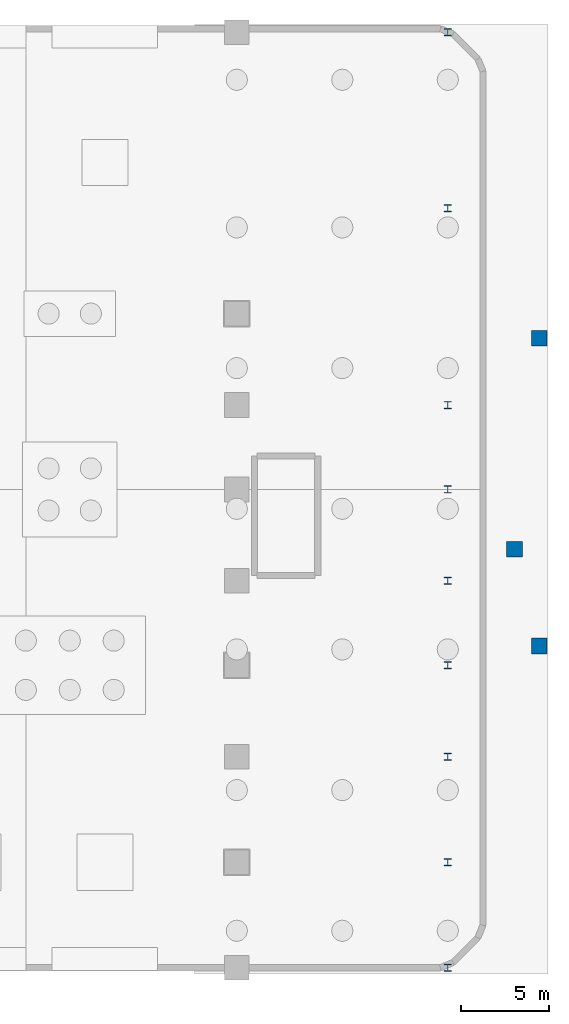
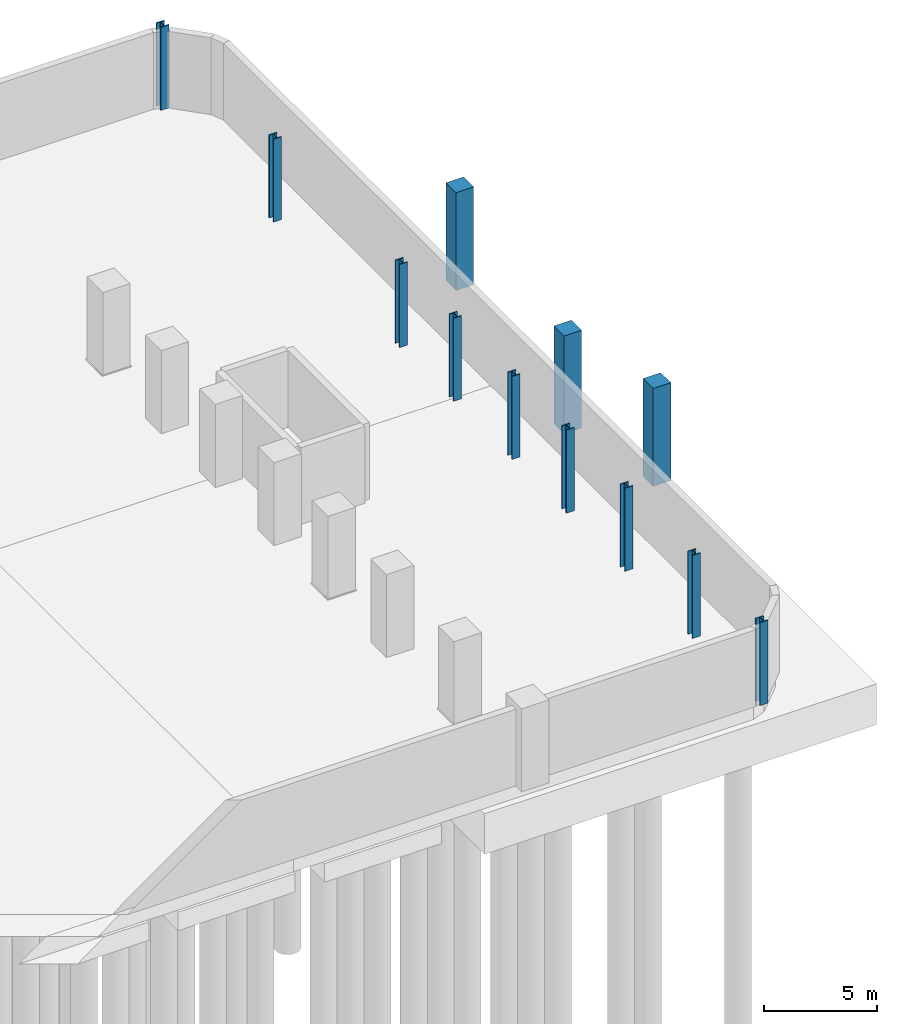
# One storey, part 2 of 8: 12 columns.
"""IFC4 building model written with IfcOpenShell, lengths in metres."""

from ifc_helpers import new_model, si_unit, direction, frame, origin, origin_2d, place, context, subcontext, project, spatial, rectangle, i_section, extrude, material, material_profile, profile_set, type_object, element, save


model = new_model("IFC4")

# Units and contexts
model_context = context("Model", 3, precision=1e-05, world=origin(), true_north=direction((0.0, 1.0)))
body_context = subcontext(model_context, "Body", "Model", "MODEL_VIEW")
ifc_project = project(units=[si_unit("LENGTHUNIT", "METRE"), si_unit("AREAUNIT", "SQUARE_METRE"), si_unit("VOLUMEUNIT", "CUBIC_METRE"), si_unit("PLANEANGLEUNIT", "RADIAN"), si_unit("MASSUNIT", "GRAM", prefix="KILO")], contexts=[model_context])

# Site, building, storey
site_placement = place(None, origin())
site = spatial("IfcSite", under=ifc_project, at=site_placement, CompositionType="ELEMENT")
building_placement = place(site_placement, origin())
building = spatial("IfcBuilding", under=site, at=building_placement, Name="Keshet Zoharim Tower", CompositionType="ELEMENT")
storey_placement = place(building_placement, frame((0.0, 0.0, -9.0)))
storey = spatial("IfcBuildingStorey", under=building, at=storey_placement, Name="B2", CompositionType="ELEMENT", Elevation=-9.0)

# Columns
ifc_material_1 = material(Name="Steel S355", Category="steel")
ifc_material_profile_1 = material_profile(ifc_material_1, i_section(OverallWidth=0.408935546875, OverallDepth=0.425048828125, WebThickness=0.031982421875, FlangeThickness=0.052490234375, FilletRadius=0.014892578125, at=origin_2d()), Name="HD400x421")
ifc_profile_set_1 = profile_set([ifc_material_profile_1], Name="Steel S355")
column_type_1 = type_object("IfcColumnType", Name="COL-POD-HD421", PredefinedType="COLUMN", material=ifc_profile_set_1)
for number, where, z_axis, x_axis, name in (
    (1, (75.0, 0.699951171875, 0.0), (0.0, 0.0, 1.0), (1.0, 0.0, 0.0), "B2 Column 13A"),
    (2, (75.0, 6.699951171875, 0.0), (0.0, 0.0, 1.0), (1.0, 0.0, 0.0), "B2 Column 13B"),
    (3, (75.0, 12.699951171875, 0.0), (0.0, 0.0, 1.0), (1.0, 0.0, 0.0), "B2 Column 13C"),
    (4, (75.0, 17.89990234375, 0.0), (0.0, 0.0, 1.0), (1.0, 0.0, 0.0), "B2 Column 13D"),
    (5, (75.0, 22.699951171875, 0.0), (0.0, 0.0, 1.0), (1.0, 0.0, 0.0), "B2 Column 13E"),
    (6, (75.0, 27.89990234375, 0.0), (0.0, 0.0, 1.0), (1.0, 0.0, 0.0), "B2 Column 13F"),
    (7, (75.0, 32.699951171875, 0.0), (0.0, 0.0, 1.0), (1.0, 0.0, 0.0), "B2 Column 13G"),
    (8, (75.0, 43.89990234375, 0.0), (0.0, 0.0, 1.0), (1.0, 0.0, 0.0), "B2 Column 13J"),
    (9, (75.0, 53.89990234375, 0.0), (0.0, 0.0, 1.0), (1.0, 0.0, 0.0), "B2 Column 13L"),
):
    element("IfcColumn", number, at=place(storey_placement, frame(where, z_axis=z_axis, x_axis=x_axis)), inside=storey, type_object=column_type_1, Name=name, PredefinedType="COLUMN", context=body_context, shape_type="SweptSolid", body=[
        extrude(i_section(OverallWidth=0.408935546875, OverallDepth=0.425048828125, WebThickness=0.031982421875, FlangeThickness=0.052490234375, FilletRadius=0.014892578125, at=origin_2d()), origin(), (0.0, 0.0, 1.0), 4.5),
    ])
ifc_material_2 = material(Name="Concrete C60/75", Category="concrete")
ifc_material_profile_2 = material_profile(ifc_material_2, rectangle(XDim=0.89990234375, YDim=0.89990234375, at=origin_2d()), Name="RC900x900")
ifc_profile_set_2 = profile_set([ifc_material_profile_2], Name="Concrete C60/75")
column_type_2 = type_object("IfcColumnType", Name="COL-RC900", PredefinedType="COLUMN", material=ifc_profile_set_2)
for number, where, z_axis, x_axis, name in (
    (10, (80.199951171875, 19.0, -0.800048828125), (0.0, 0.0, 1.0), (1.0, 0.0, 0.0), "B2 Forecourt Support Column FE1"),
    (11, (78.800048828125, 24.5, -0.800048828125), (0.0, 0.0, 1.0), (1.0, 0.0, 0.0), "B2 Forecourt Support Column FE2"),
    (12, (80.199951171875, 36.5, -0.800048828125), (0.0, 0.0, 1.0), (1.0, 0.0, 0.0), "B2 Forecourt Support Column FE3"),
):
    element("IfcColumn", number, at=place(storey_placement, frame(where, z_axis=z_axis, x_axis=x_axis)), inside=storey, type_object=column_type_2, Name=name, PredefinedType="COLUMN", context=body_context, shape_type="SweptSolid", body=[
        extrude(rectangle(XDim=0.89990234375, YDim=0.89990234375, at=origin_2d()), origin(), (0.0, 0.0, 1.0), 5.300048828125),
    ])

save(model, "model.ifc")
